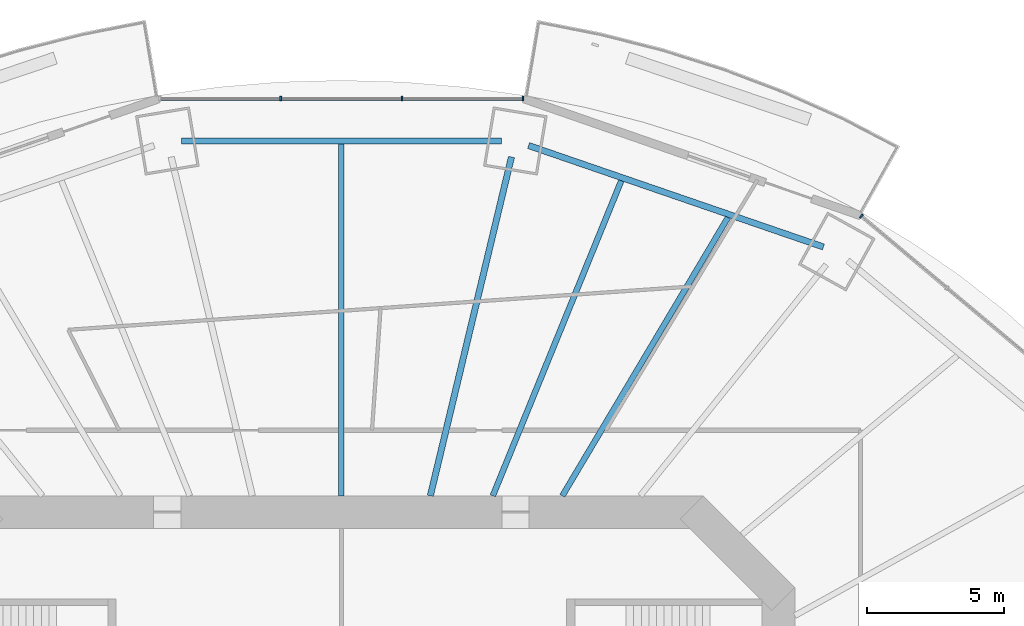
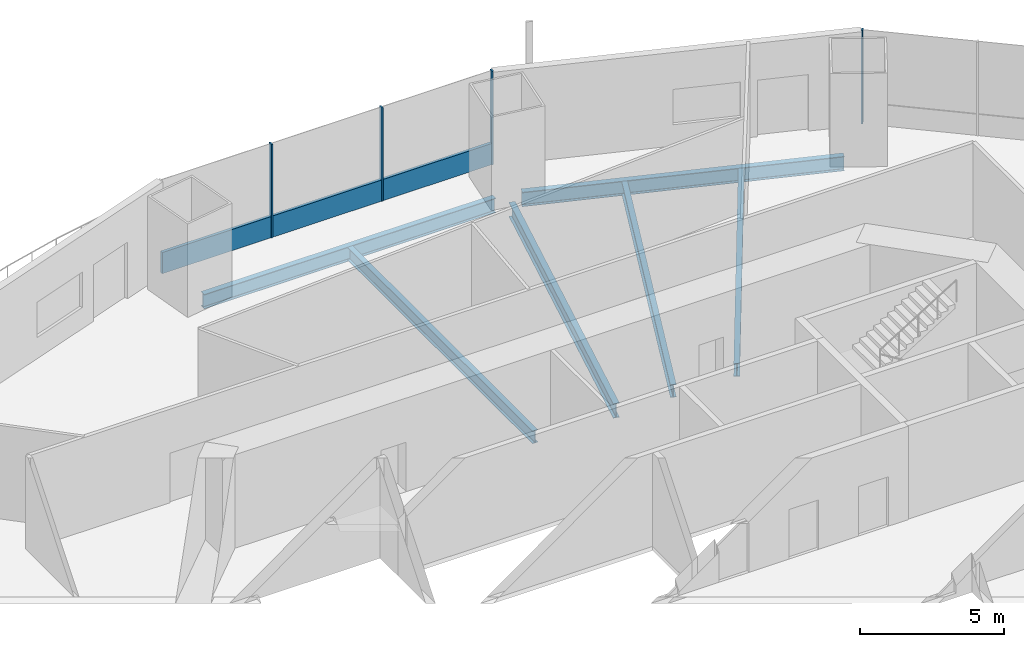
# One storey, part 9 of 22: 6 beams, 5 members, 2 elements without a shape of their own.
"""IFC4 building model written with IfcOpenShell, lengths in metres."""

from ifc_helpers import new_model, si_unit, direction, frame, origin, origin_2d, place, context, subcontext, project, spatial, rectangle, i_section, extrude, material, material_profile, profile_set, type_object, element, aggregate, save


model = new_model("IFC4")

# Units and contexts
model_context = context("Model", 3, precision=1e-05, world=origin(), true_north=direction((0.0, 1.0)))
body_context = subcontext(model_context, "Body", "Model", "MODEL_VIEW")
ifc_project = project(units=[si_unit("LENGTHUNIT", "METRE"), si_unit("AREAUNIT", "SQUARE_METRE"), si_unit("VOLUMEUNIT", "CUBIC_METRE"), si_unit("PLANEANGLEUNIT", "RADIAN"), si_unit("MASSUNIT", "GRAM", prefix="KILO")], contexts=[model_context])

# Site, building, storey
site_placement = place(None, origin())
site = spatial("IfcSite", under=ifc_project, at=site_placement, CompositionType="ELEMENT")
building_placement = place(site_placement, origin())
building = spatial("IfcBuilding", under=site, at=building_placement, Name="Marenthal Gate Tower", CompositionType="ELEMENT")
storey_placement = place(building_placement, frame((0.0, 0.0, 107.699951171875)))
storey = spatial("IfcBuildingStorey", under=building, at=storey_placement, Name="L22", CompositionType="ELEMENT", Elevation=107.699951171875)

# Curtain wall, member
ifc_material_1 = material(Name="Aluminium and glass", Category="aluminium")
curtain_wall_type = type_object("IfcCurtainWallType", Name="Curtain wall typical low", PredefinedType="NOTDEFINED", material=ifc_material_1)
curtain_wall_1_placement = place(storey_placement, origin())
curtain_wall_1 = element("IfcCurtainWall", 1, at=curtain_wall_1_placement, inside=storey, type_object=curtain_wall_type, Name="Curtain wall L22 bay 2", PredefinedType="NOTDEFINED")
ifc_material_2 = material(Name="Aluminium", Category="aluminium")
ifc_material_profile_1 = material_profile(ifc_material_2, rectangle(XDim=0.159912109375, YDim=0.06005859375, at=origin_2d()), Name="60x160 aluminium mullion")
ifc_profile_set_1 = profile_set([ifc_material_profile_1], Name="Aluminium")
member_type_1 = type_object("IfcMemberType", Name="Mullion 60x160 typical low", PredefinedType="MULLION", material=ifc_profile_set_1)
member_1_placement = place(storey_placement, frame((19.037841796875, 23.833984375, 0.0), z_axis=(0.0, 0.0, 1.0), x_axis=(-0.642377082487, -0.766388728972, 0.0)))
member_1 = element("IfcMember", 2, at=member_1_placement, type_object=member_type_1, Name="Mullion L22 bay 2.4", PredefinedType="MULLION", context=body_context, shape_type="SweptSolid", body=[
    extrude(rectangle(XDim=0.159912109375, YDim=0.06005859375, at=origin_2d()), origin(), (0.0, 0.0, 1.0), 3.969970703125),
])
aggregate(curtain_wall_1, [member_1])

# Curtain wall, members
curtain_wall_2_placement = place(storey_placement, origin())
curtain_wall_2 = element("IfcCurtainWall", 3, at=curtain_wall_2_placement, inside=storey, type_object=curtain_wall_type, Name="Curtain wall L22 bay 4", PredefinedType="NOTDEFINED")
member_2_placement = place(storey_placement, frame((6.647216796875, 28.13671875, 0.0), z_axis=(0.0, 0.0, 1.0), x_axis=(0.0, -1.0, 0.0)))
member_2 = element("IfcMember", 4, at=member_2_placement, type_object=member_type_1, Name="Mullion L22 bay 4.1", PredefinedType="MULLION", context=body_context, shape_type="SweptSolid", body=[
    extrude(rectangle(XDim=0.159912109375, YDim=0.06005859375, at=origin_2d()), origin(), (0.0, 0.0, 1.0), 3.969970703125),
])
member_3_placement = place(storey_placement, frame((2.2158203125, 28.13671875, 0.0), z_axis=(0.0, 0.0, 1.0), x_axis=(0.0, -1.0, 0.0)))
member_3 = element("IfcMember", 5, at=member_3_placement, type_object=member_type_1, Name="Mullion L22 bay 4.2", PredefinedType="MULLION", context=body_context, shape_type="SweptSolid", body=[
    extrude(rectangle(XDim=0.159912109375, YDim=0.06005859375, at=origin_2d()), origin(), (0.0, 0.0, 1.0), 3.969970703125),
])
member_4_placement = place(storey_placement, frame((-2.2158203125, 28.13671875, 0.0), z_axis=(0.0, 0.0, 1.0), x_axis=(0.0, -1.0, 0.0)))
member_4 = element("IfcMember", 6, at=member_4_placement, type_object=member_type_1, Name="Mullion L22 bay 4.3", PredefinedType="MULLION", context=body_context, shape_type="SweptSolid", body=[
    extrude(rectangle(XDim=0.159912109375, YDim=0.06005859375, at=origin_2d()), origin(), (0.0, 0.0, 1.0), 3.969970703125),
])
ifc_material_3 = material(Name="Aluminium", Category="aluminium")
ifc_material_profile_2 = material_profile(ifc_material_3, rectangle(XDim=0.1201171875, YDim=0.89990234375, at=origin_2d()), Name="120x900 aluminium transom")
ifc_profile_set_2 = profile_set([ifc_material_profile_2], Name="Aluminium")
member_type_2 = type_object("IfcMemberType", Name="Transom 120x900 typical low", PredefinedType="USERDEFINED", material=ifc_profile_set_2)
member_5_placement = place(storey_placement, frame((6.6171875, 28.13671875, 0.449951171875), z_axis=(-1.0, 0.0, 0.0), x_axis=(0.0, -1.0, 0.0)))
member_5 = element("IfcMember", 7, at=member_5_placement, type_object=member_type_2, Name="Transom L22 bay 4", ObjectType="TRANSOM", PredefinedType="USERDEFINED", context=body_context, shape_type="SweptSolid", body=[
    extrude(rectangle(XDim=0.1201171875, YDim=0.89990234375, at=origin_2d()), origin(), (0.0, 0.0, 1.0), 13.234375),
])
aggregate(curtain_wall_2, [member_2, member_3, member_4, member_5])

# Beams
ifc_material_4 = material(Name="Steel S355", Category="steel")
ifc_material_profile_3 = material_profile(ifc_material_4, i_section(OverallWidth=0.2119140625, OverallDepth=0.5439453125, WebThickness=0.01318359375, FlangeThickness=0.021240234375, FilletRadius=0.0126953125, at=origin_2d()), Name="W530X123")
ifc_profile_set_3 = profile_set([ifc_material_profile_3], Name="Steel S355")
beam_type_1 = type_object("IfcBeamType", Name="W530X123 beam", PredefinedType="BEAM", material=ifc_profile_set_3)
beam_1_placement = place(storey_placement, frame((14.154541015625, 23.7880859375, -0.451904296875), z_axis=(-0.511357862228, -0.859367870436, 0.0), x_axis=(0.859367870436, -0.511357862228, 0.0)))
element("IfcBeam", 8, at=beam_1_placement, inside=storey, type_object=beam_type_1, Name="BM-L22-20", PredefinedType="BEAM", context=body_context, shape_type="SweptSolid", body=[
    extrude(i_section(OverallWidth=0.2119140625, OverallDepth=0.5439453125, WebThickness=0.01318359375, FlangeThickness=0.021240234375, FilletRadius=0.0126953125, at=origin_2d()), origin(), (0.0, 0.0, 1.0), 11.855224609375),
])
beam_2_placement = place(storey_placement, frame((10.248291015625, 25.131591796875, -0.451904296875), z_axis=(-0.377598266022, -0.925969518665, 0.0), x_axis=(0.925969518665, -0.377598266022, 0.0)))
element("IfcBeam", 9, at=beam_2_placement, inside=storey, type_object=beam_type_1, Name="BM-L22-21", PredefinedType="BEAM", context=body_context, shape_type="SweptSolid", body=[
    extrude(i_section(OverallWidth=0.2119140625, OverallDepth=0.5439453125, WebThickness=0.01318359375, FlangeThickness=0.021240234375, FilletRadius=0.0126953125, at=origin_2d()), origin(), (0.0, 0.0, 1.0), 12.453369140625),
])
beam_3_placement = place(storey_placement, frame((0.0, 26.47265625, -0.451904296875), z_axis=(0.0, -1.0, 0.0), x_axis=(1.0, 0.0, 0.0)))
element("IfcBeam", 10, at=beam_3_placement, inside=storey, type_object=beam_type_1, Name="BM-L22-22", PredefinedType="BEAM", context=body_context, shape_type="SweptSolid", body=[
    extrude(i_section(OverallWidth=0.2119140625, OverallDepth=0.5439453125, WebThickness=0.01318359375, FlangeThickness=0.021240234375, FilletRadius=0.0126953125, at=origin_2d()), origin(), (0.0, 0.0, 1.0), 12.87255859375),
])
ifc_material_5 = material(Name="Steel S355", Category="steel")
ifc_material_profile_4 = material_profile(ifc_material_5, i_section(OverallWidth=0.22900390625, OverallDepth=0.612060546875, WebThickness=0.011962890625, FlangeThickness=0.01953125, FilletRadius=0.0126953125, at=origin_2d()), Name="W610X125")
ifc_profile_set_4 = profile_set([ifc_material_profile_4], Name="Steel S355")
beam_type_2 = type_object("IfcBeamType", Name="W610X125 beam", PredefinedType="BEAM", material=ifc_profile_set_4)
beam_4_placement = place(storey_placement, frame((6.228515625, 26.000732421875, -0.48583984375), z_axis=(-0.232968867139, -0.972484193673, 0.0), x_axis=(0.972484193673, -0.232968867139, 0.0)))
element("IfcBeam", 11, at=beam_4_placement, inside=storey, type_object=beam_type_2, Name="BM-L22-04", PredefinedType="BEAM", context=body_context, shape_type="SweptSolid", body=[
    extrude(i_section(OverallWidth=0.22900390625, OverallDepth=0.612060546875, WebThickness=0.011962890625, FlangeThickness=0.01953125, FilletRadius=0.0126953125, at=origin_2d()), origin(), (0.0, 0.0, 1.0), 12.75146484375),
])
beam_5_placement = place(storey_placement, frame((17.649658203125, 22.707275390625, -0.48583984375), z_axis=(-0.945631108542, 0.325241151391, 0.0), x_axis=(-0.325241151391, -0.945631108542, 0.0)))
element("IfcBeam", 12, at=beam_5_placement, inside=storey, type_object=beam_type_2, Name="BM-L22-43", PredefinedType="BEAM", context=body_context, shape_type="SweptSolid", body=[
    extrude(i_section(OverallWidth=0.22900390625, OverallDepth=0.612060546875, WebThickness=0.011962890625, FlangeThickness=0.01953125, FilletRadius=0.0126953125, at=origin_2d()), origin(), (0.0, 0.0, 1.0), 11.4150390625),
])
beam_6_placement = place(storey_placement, frame((5.85546875, 26.587158203125, -0.48583984375), z_axis=(-1.0, 0.0, 0.0), x_axis=(0.0, -1.0, 0.0)))
element("IfcBeam", 13, at=beam_6_placement, inside=storey, type_object=beam_type_2, Name="BM-L22-44", PredefinedType="BEAM", context=body_context, shape_type="SweptSolid", body=[
    extrude(i_section(OverallWidth=0.22900390625, OverallDepth=0.612060546875, WebThickness=0.011962890625, FlangeThickness=0.01953125, FilletRadius=0.0126953125, at=origin_2d()), origin(), (0.0, 0.0, 1.0), 11.7109375),
])

save(model, "model.ifc")
